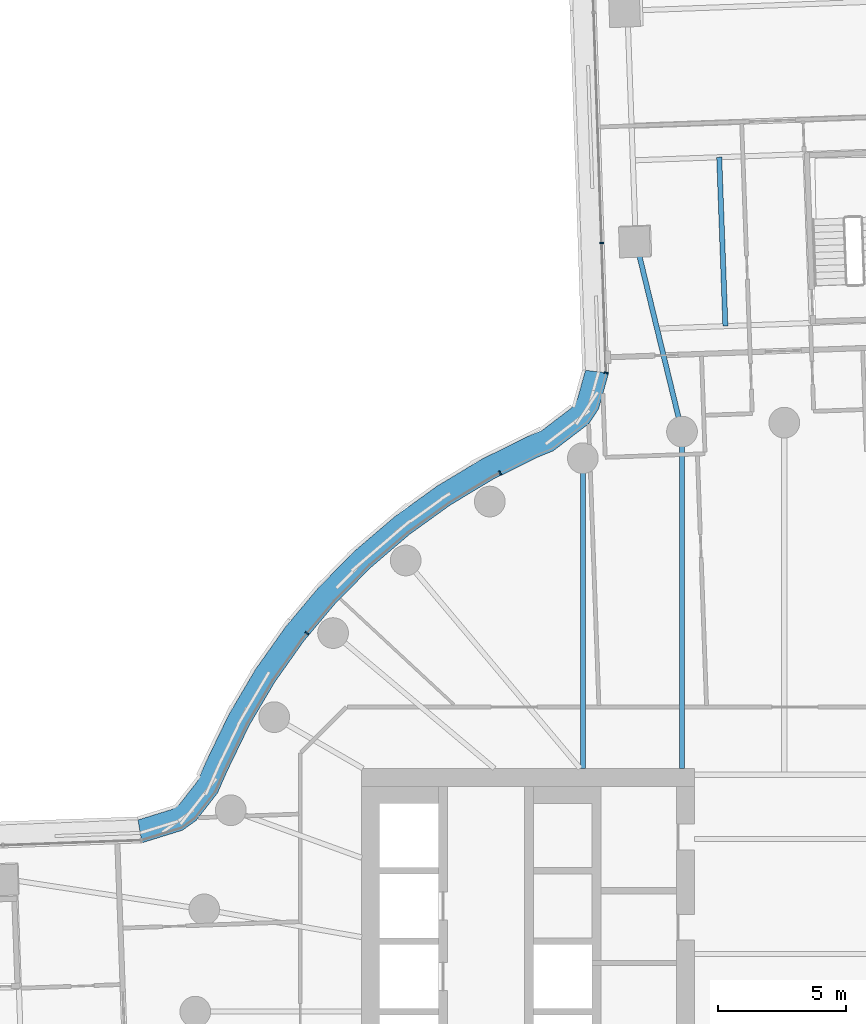
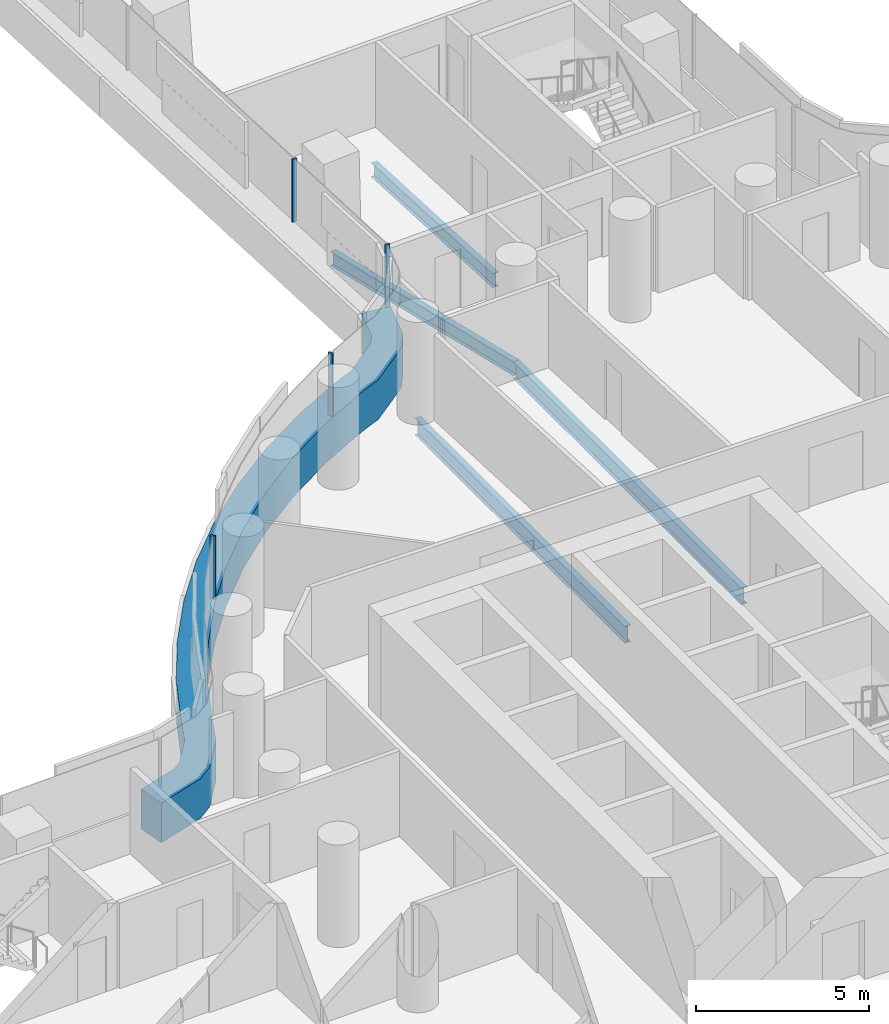
# One storey, part 13 of 31: 5 members, 4 beams, 2 elements without a shape of their own.
"""IFC4 building model written with IfcOpenShell, lengths in metres."""

from ifc_helpers import new_model, si_unit, direction, frame, origin, origin_2d, place, context, subcontext, project, spatial, polyline, rectangle, i_section, outline, extrude, material, layer, layer_set, material_profile, profile_set, type_object, element, aggregate, save


model = new_model("IFC4")

# Units and contexts
model_context = context("Model", 3, precision=1e-05, world=origin(), true_north=direction((0.0, 1.0)))
body_context = subcontext(model_context, "Body", "Model", "MODEL_VIEW")
ifc_project = project(units=[si_unit("LENGTHUNIT", "METRE"), si_unit("AREAUNIT", "SQUARE_METRE"), si_unit("VOLUMEUNIT", "CUBIC_METRE"), si_unit("PLANEANGLEUNIT", "RADIAN"), si_unit("MASSUNIT", "GRAM", prefix="KILO")], contexts=[model_context])

# Site, building, storey
site_placement = place(None, origin())
site = spatial("IfcSite", under=ifc_project, at=site_placement, CompositionType="ELEMENT")
building_placement = place(site_placement, origin())
building = spatial("IfcBuilding", under=site, at=building_placement, Name="Tamarind Cross Interchange Tower", CompositionType="ELEMENT")
storey_placement = place(building_placement, frame((0.0, 0.0, 41.5)))
storey = spatial("IfcBuildingStorey", under=building, at=storey_placement, Name="L08", CompositionType="ELEMENT", Elevation=41.5)

# Beams
ifc_material_1 = material(Name="Steel Q355B", Category="steel")
ifc_material_profile_1 = material_profile(ifc_material_1, i_section(OverallWidth=0.198974609375, OverallDepth=0.49609375, WebThickness=0.009033203125, FlangeThickness=0.013916015625, FilletRadius=0.012939453125, at=origin_2d()), Name="HN 496x199x9x14")
ifc_profile_set_1 = profile_set([ifc_material_profile_1], Name="Steel Q355B")
beam_type_1 = type_object("IfcBeamType", Name="Composite beam HN 496x199x9x14 Q355B", PredefinedType="BEAM", material=ifc_profile_set_1)
beam_1_placement = place(storey_placement, frame((-5.799072265625, 30.093994140625, -0.387939453125), z_axis=(0.235689431593, -0.971828427159, 0.0), x_axis=(0.971828427159, 0.235689431593, 0.0)))
element("IfcBeam", 1, at=beam_1_placement, inside=storey, type_object=beam_type_1, Name="Beam N-linkep", PredefinedType="BEAM", context=body_context, shape_type="SweptSolid", body=[
    extrude(i_section(OverallWidth=0.198974609375, OverallDepth=0.49609375, WebThickness=0.009033203125, FlangeThickness=0.013916015625, FilletRadius=0.012939453125, at=origin_2d()), origin(), (0.0, 0.0, 1.0), 7.6591796875),
])
beam_2_placement = place(storey_placement, frame((-2.300537109375, 26.769287109375, -0.387939453125), z_axis=(-0.036435666296, 0.999336000663, 0.0), x_axis=(-0.999336000663, -0.036435666296, 0.0)))
element("IfcBeam", 2, at=beam_2_placement, inside=storey, type_object=beam_type_1, Name="Beam N-stripp", PredefinedType="BEAM", context=body_context, shape_type="SweptSolid", body=[
    extrude(i_section(OverallWidth=0.198974609375, OverallDepth=0.49609375, WebThickness=0.009033203125, FlangeThickness=0.013916015625, FilletRadius=0.012939453125, at=origin_2d()), origin(), (0.0, 0.0, 1.0), 6.60009765625),
])
ifc_material_profile_2 = material_profile(ifc_material_1, i_section(OverallWidth=0.198974609375, OverallDepth=0.595947265625, WebThickness=0.010009765625, FlangeThickness=0.014892578125, FilletRadius=0.012939453125, at=origin_2d()), Name="HN 596x199x10x15")
ifc_profile_set_2 = profile_set([ifc_material_profile_2], Name="Steel Q355B")
beam_type_2 = type_object("IfcBeamType", Name="Composite beam HN 596x199x10x15 Q355B", PredefinedType="BEAM", material=ifc_profile_set_2)
beam_3_placement = place(storey_placement, frame((-3.993896484375, 22.650634765625, -0.43798828125), z_axis=(0.0, -1.0, 0.0), x_axis=(1.0, 0.0, 0.0)))
element("IfcBeam", 3, at=beam_3_placement, inside=storey, type_object=beam_type_2, Name="Beam HH10", PredefinedType="BEAM", context=body_context, shape_type="SweptSolid", body=[
    extrude(i_section(OverallWidth=0.198974609375, OverallDepth=0.595947265625, WebThickness=0.010009765625, FlangeThickness=0.014892578125, FilletRadius=0.012939453125, at=origin_2d()), origin(), (0.0, 0.0, 1.0), 13.150634765625),
])
beam_4_placement = place(storey_placement, frame((-7.866455078125, 21.613037109375, -0.43798828125), z_axis=(0.0, -1.0, 0.0), x_axis=(1.0, 0.0, 0.0)))
element("IfcBeam", 4, at=beam_4_placement, inside=storey, type_object=beam_type_2, Name="Beam HH11", PredefinedType="BEAM", context=body_context, shape_type="SweptSolid", body=[
    extrude(i_section(OverallWidth=0.198974609375, OverallDepth=0.595947265625, WebThickness=0.010009765625, FlangeThickness=0.014892578125, FilletRadius=0.012939453125, at=origin_2d()), origin(), (0.0, 0.0, 1.0), 12.113037109375),
])

# Curtain wall, member
ifc_material_2 = material(Name="Aluminium 6063-T6", Category="aluminium")
ifc_layer = layer(ifc_material_2, 0.159912109375)
ifc_layer_set = layer_set([ifc_layer], Name="Aluminium 6063-T6")
curtain_wall_type = type_object("IfcCurtainWallType", Name="Office curtain wall, 9.0 m bays", PredefinedType="NOTDEFINED", material=ifc_layer_set)
curtain_wall_1_placement = place(storey_placement, origin())
curtain_wall_1 = element("IfcCurtainWall", 5, at=curtain_wall_1_placement, inside=storey, type_object=curtain_wall_type, Name="CWS-L08-14", PredefinedType="NOTDEFINED")
ifc_material_3 = material(Name="Aluminium and insulated spandrel panel", Category="aluminium")
member_type_1 = type_object("IfcMemberType", Name="Floor-edge blade transom", PredefinedType="USERDEFINED", material=ifc_material_3)
member_1_placement = place(storey_placement, origin())
member_1 = element("IfcMember", 6, at=member_1_placement, type_object=member_type_1, Name="CWT-L08-14", ObjectType="TRANSOM", PredefinedType="USERDEFINED", context=body_context, shape_type="SweptSolid", body=[
    extrude(outline(polyline([(-6.85888671875, 24.9375), (-7.2490234375, 23.540283203125), (-7.628173828125, 22.962890625), (-9.02001953125, 21.8994140625), (-9.6103515625, 21.659423828125), (-11.367431640625, 20.791015625), (-13.045654296875, 19.78125), (-14.634521484375, 18.636474609375), (-16.12353515625, 17.3642578125), (-17.50244140625, 15.973388671875), (-18.76171875, 14.4736328125), (-19.892822265625, 12.874755859375), (-20.88818359375, 11.188232421875), (-21.743896484375, 9.41845703125), (-22.1357421875, 8.532958984375), (-22.973388671875, 7.459228515625), (-23.50537109375, 7.081298828125), (-25.08544921875, 6.591796875), (-25.23779296875, 7.48681640625), (-23.9091796875, 7.8984375), (-23.601806640625, 8.11669921875), (-22.91357421875, 8.998779296875), (-22.560791015625, 9.79638671875), (-21.68212890625, 11.613525390625), (-20.64892578125, 13.3642578125), (-19.474853515625, 15.023681640625), (-18.167724609375, 16.580810546875), (-16.736572265625, 18.0244140625), (-15.19091796875, 19.344970703125), (-13.54150390625, 20.533203125), (-11.799560546875, 21.581298828125), (-9.979736328125, 22.480712890625), (-9.470703125, 22.687744140625), (-8.29638671875, 23.5849609375), (-8.078125, 23.917236328125), (-7.762939453125, 25.045654296875), (-6.85888671875, 24.9375)])), origin(), (0.0, 0.0, 1.0), 1.39990234375),
])

curtain_wall_2_placement = place(storey_placement, origin())
curtain_wall_2 = element("IfcCurtainWall", 7, at=curtain_wall_2_placement, inside=storey, type_object=curtain_wall_type, Name="CWS-L08-13", PredefinedType="NOTDEFINED")
ifc_material_profile_3 = material_profile(ifc_material_2, rectangle(XDim=0.06005859375, YDim=0.159912109375, at=origin_2d()), Name="Mullion CW1")
ifc_profile_set_3 = profile_set([ifc_material_profile_3], Name="Aluminium 6063-T6")
member_type_2 = type_object("IfcMemberType", Name="Mullion CW1", PredefinedType="MULLION", material=ifc_profile_set_3)
member_2_placement = place(storey_placement, frame((-7.13330078125, 30.01513671875, 1.39990234375), z_axis=(0.0, 0.0, 1.0), x_axis=(0.034342684894, -0.999410116016, 0.0)))
member_2 = element("IfcMember", 8, at=member_2_placement, type_object=member_type_2, Name="CWM-L08-13-02", PredefinedType="MULLION", context=body_context, shape_type="SweptSolid", body=[
    extrude(rectangle(XDim=0.06005859375, YDim=0.159912109375, at=origin_2d()), origin(), (0.0, 0.0, 1.0), 2.210205078125),
])
aggregate(curtain_wall_2, [member_2])

# Member
member_3_placement = place(storey_placement, frame((-6.959228515625, 24.949462890625, 1.39990234375), z_axis=(0.0, 0.0, 1.0), x_axis=(-0.118713959875, -0.992928494772, 0.0)))
member_3 = element("IfcMember", 9, at=member_3_placement, type_object=member_type_2, Name="CWM-L08-14-00", PredefinedType="MULLION", context=body_context, shape_type="SweptSolid", body=[
    extrude(rectangle(XDim=0.06005859375, YDim=0.159912109375, at=origin_2d()), origin(), (0.0, 0.0, 1.0), 2.210205078125),
])

member_4_placement = place(storey_placement, frame((-11.097900390625, 21.035888671875, 1.39990234375), z_axis=(0.0, 0.0, 1.0), x_axis=(-0.896492548518, -0.443058811505, 0.0)))
member_4 = element("IfcMember", 10, at=member_4_placement, type_object=member_type_2, Name="CWM-L08-14-01", PredefinedType="MULLION", context=body_context, shape_type="SweptSolid", body=[
    extrude(rectangle(XDim=0.06005859375, YDim=0.159912109375, at=origin_2d()), origin(), (0.0, 0.0, 1.0), 2.210205078125),
])

member_5_placement = place(storey_placement, frame((-18.640625, 14.7734375, 1.39990234375), z_axis=(0.0, 0.0, 1.0), x_axis=(-0.643009266048, -0.765858396687, 0.0)))
member_5 = element("IfcMember", 11, at=member_5_placement, type_object=member_type_2, Name="CWM-L08-14-02", PredefinedType="MULLION", context=body_context, shape_type="SweptSolid", body=[
    extrude(rectangle(XDim=0.06005859375, YDim=0.159912109375, at=origin_2d()), origin(), (0.0, 0.0, 1.0), 2.210205078125),
])

aggregate(curtain_wall_1, [member_3, member_4, member_5, member_1])

save(model, "model.ifc")
